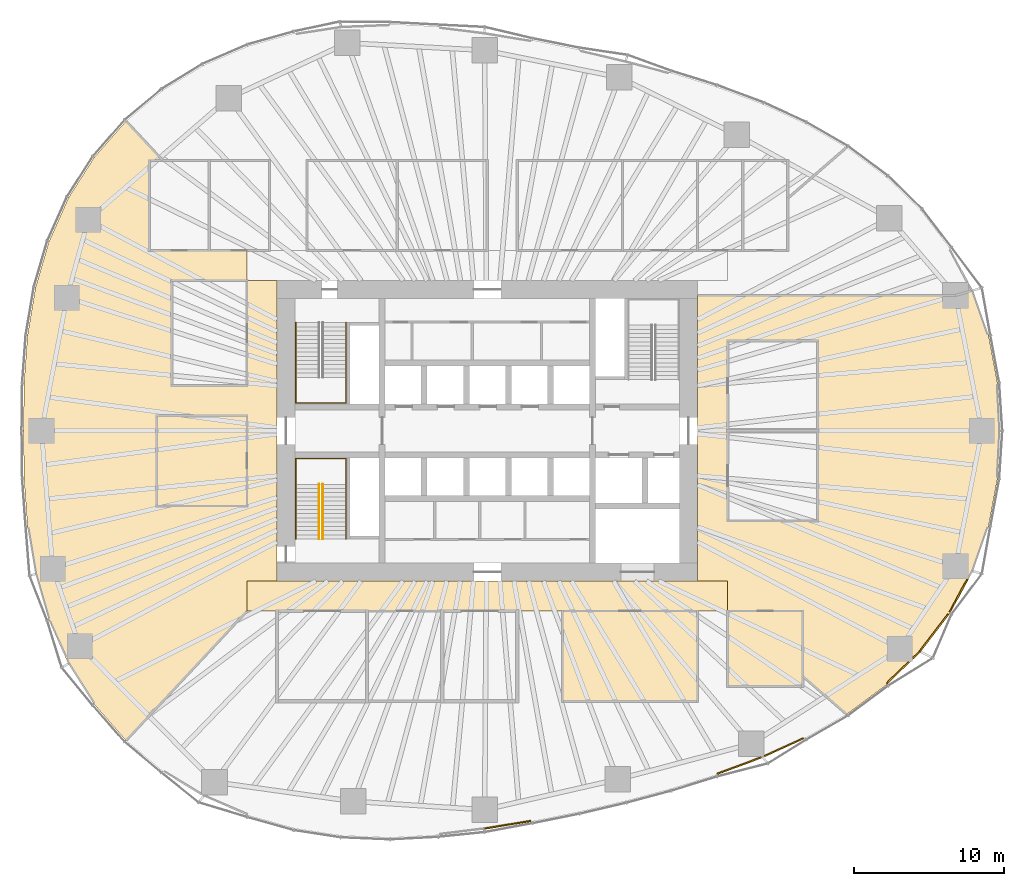
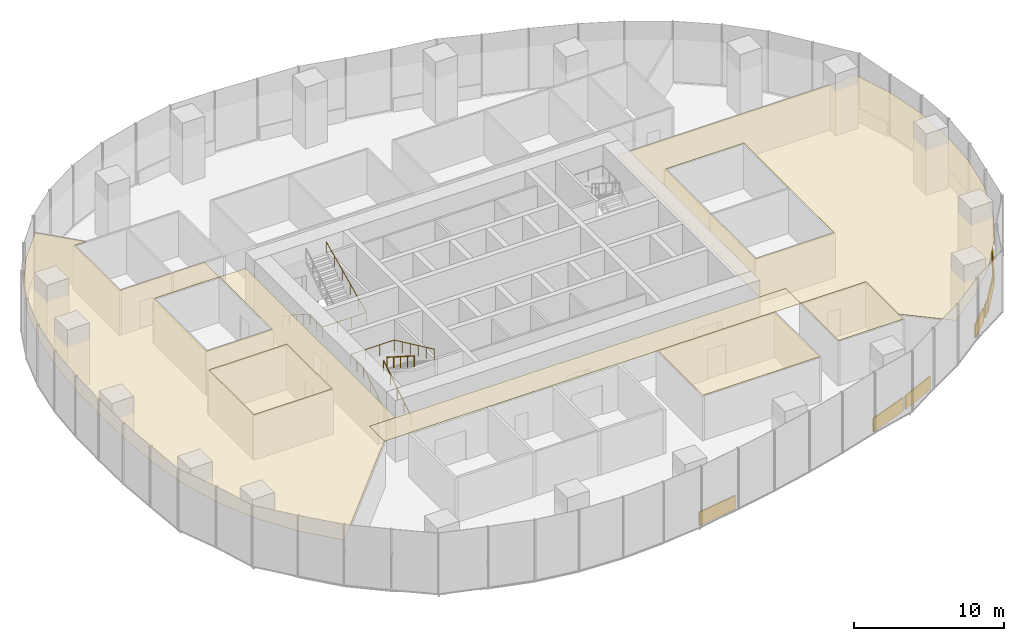
# One storey, part 18 of 19: 13 coverings, 4 railings.
"""IFC4 building model written with IfcOpenShell, lengths in metres."""

from ifc_helpers import new_model, si_unit, direction, frame, origin, origin_2d, place, context, subcontext, project, spatial, polyline, rectangle, circle, outline, extrude, material, layer, layer_set, type_object, element, save


model = new_model("IFC4")

# Units and contexts
model_context = context("Model", 3, precision=1e-05, world=origin(), true_north=direction((0.0, 1.0)))
body_context = subcontext(model_context, "Body", "Model", "MODEL_VIEW")
ifc_project = project(units=[si_unit("LENGTHUNIT", "METRE"), si_unit("AREAUNIT", "SQUARE_METRE"), si_unit("VOLUMEUNIT", "CUBIC_METRE"), si_unit("PLANEANGLEUNIT", "RADIAN"), si_unit("MASSUNIT", "GRAM", prefix="KILO")], contexts=[model_context])

# Site, building, storey
site_placement = place(None, origin())
site = spatial("IfcSite", under=ifc_project, at=site_placement, CompositionType="ELEMENT")
building_placement = place(site_placement, origin())
building = spatial("IfcBuilding", under=site, at=building_placement, Name="Ghaith Harvest Tower", CompositionType="ELEMENT")
storey_placement = place(building_placement, frame((0.0, 0.0, 75.0)))
storey = spatial("IfcBuildingStorey", under=building, at=storey_placement, Name="L15", CompositionType="ELEMENT", Elevation=75.0)

# Coverings
ifc_material_1 = material(Name="Mineral fibre ceiling tile", Category="gypsum")
ifc_layer_1 = layer(ifc_material_1, 0.02490234375)
ifc_layer_set_1 = layer_set([ifc_layer_1], Name="CEILING C2")
covering_type_1 = type_object("IfcCoveringType", Name="CEILING C2", PredefinedType="CEILING", material=ifc_layer_set_1)
covering_1_placement = place(storey_placement, frame((0.0, 0.0, 3.60009765625)))
element("IfcCovering", 1, at=covering_1_placement, inside=storey, type_object=covering_type_1, Name="Ceiling L15-06", PredefinedType="CEILING", context=body_context, shape_type="SweptSolid", body=[
    extrude(outline(polyline([(5.0, -18.0), (14.0, -18.0), (14.0, -12.0), (5.0, -12.0), (5.0, -18.0)])), origin(), (0.0, 0.0, 1.0), 0.02490234375),
])
covering_2_placement = place(storey_placement, frame((0.0, 0.0, 3.60009765625)))
element("IfcCovering", 2, at=covering_2_placement, inside=storey, type_object=covering_type_1, Name="Ceiling L15-07", PredefinedType="CEILING", context=body_context, shape_type="SweptSolid", body=[
    extrude(outline(polyline([(-22.0, -5.0), (-16.0, -5.0), (-16.0, 1.0), (-22.0, 1.0), (-22.0, -5.0)])), origin(), (0.0, 0.0, 1.0), 0.02490234375),
])
covering_3_placement = place(storey_placement, frame((0.0, 0.0, 3.60009765625)))
element("IfcCovering", 3, at=covering_3_placement, inside=storey, type_object=covering_type_1, Name="Ceiling L15-16", PredefinedType="CEILING", context=body_context, shape_type="SweptSolid", body=[
    extrude(outline(polyline([(16.0, -17.0), (21.0, -17.0), (21.0, -12.0), (16.0, -12.0), (16.0, -17.0)])), origin(), (0.0, 0.0, 1.0), 0.02490234375),
])
covering_4_placement = place(storey_placement, frame((0.0, 0.0, 3.60009765625)))
element("IfcCovering", 4, at=covering_4_placement, inside=storey, type_object=covering_type_1, Name="Ceiling L15-C2", PredefinedType="CEILING", context=body_context, shape_type="SweptSolid", body=[
    extrude(outline(polyline([(-16.0, -10.0), (16.0, -10.0), (16.0, -12.0), (-16.0, -12.0), (-16.0, -10.0)])), origin(), (0.0, 0.0, 1.0), 0.02490234375),
])
covering_5_placement = place(storey_placement, frame((0.0, 0.0, 3.60009765625)))
element("IfcCovering", 5, at=covering_5_placement, inside=storey, type_object=covering_type_1, Name="Ceiling L15-E2", PredefinedType="CEILING", context=body_context, shape_type="SweptSolid", body=[
    extrude(outline(polyline([(32.318359375, 9.3408203125), (33.37158203125, 6.333984375), (33.95849609375, 3.194091796875), (34.125, 0.0), (33.95849609375, -3.194091796875), (33.37158203125, -6.333984375), (32.318359375, -9.3408203125), (30.78515625, -12.1708984375), (28.840087890625, -14.708984375), (26.572509765625, -16.9111328125), (23.92431640625, -18.873046875), (21.0, -16.336669921875), (21.0, -12.0), (16.0, -12.0), (16.0, -10.0), (14.0, -10.0), (14.0, 9.008056640625), (31.166015625, 9.008056640625), (32.318359375, 9.3408203125)]), holes=[polyline([(16.0, -6.0), (22.0, -6.0), (22.0, 6.0), (16.0, 6.0), (16.0, -6.0)])]), origin(), (0.0, 0.0, 1.0), 0.02490234375),
])
covering_6_placement = place(storey_placement, frame((0.0, 0.0, 3.60009765625)))
element("IfcCovering", 6, at=covering_6_placement, inside=storey, type_object=covering_type_1, Name="Ceiling L15-W1", PredefinedType="CEILING", context=body_context, shape_type="SweptSolid", body=[
    extrude(outline(polyline([(-27.881591796875, -15.507080078125), (-29.182373046875, -12.587890625), (-30.073974609375, -9.531005859375), (-30.606689453125, -6.35107421875), (-30.837158203125, -3.165771484375), (-30.875, 0.0), (-30.837158203125, 3.165771484375), (-30.606689453125, 6.35107421875), (-30.073974609375, 9.531005859375), (-29.182373046875, 12.587890625), (-27.881591796875, 15.507080078125), (-26.16455078125, 18.20556640625), (-24.04833984375, 20.618408203125), (-21.60302734375, 18.0), (-22.5, 18.0), (-22.5, 12.0), (-16.0, 12.0), (-16.0, 10.010009765625), (-21.010009765625, 10.010009765625), (-21.010009765625, 2.989990234375), (-15.989990234375, 2.989990234375), (-15.989990234375, 10.0), (-14.0, 10.0), (-14.0, -10.0), (-16.0, -10.0), (-16.0, -12.0), (-24.04833984375, -20.618408203125), (-26.16455078125, -18.20556640625), (-27.881591796875, -15.507080078125)]), holes=[polyline([(-16.0, 1.0), (-22.0, 1.0), (-22.0, -5.0), (-16.0, -5.0), (-16.0, 1.0)])]), origin(), (0.0, 0.0, 1.0), 0.02490234375),
])

# Railings
ifc_material_2 = material(Name="Steel, black powder-coated", Category="steel")
railing_type = type_object("IfcRailingType", Name="HANDRAIL HR1", PredefinedType="HANDRAIL", material=ifc_material_2)
railing_1_placement = place(storey_placement, frame((-12.75, 7.199951171875, 0.178466796875)))
element("IfcRailing", 7, at=railing_1_placement, inside=storey, type_object=railing_type, Name="Handrail HR1 stair ST1 L15 wall side", PredefinedType="HANDRAIL", context=body_context, shape_type="SweptSolid", body=[
    extrude(circle(Radius=0.02392578125, at=origin_2d()), frame((0.0, 0.0, 0.8759765625), z_axis=(0.0, -0.843111507901, 0.53773877045), x_axis=(1.0, 0.0, 0.0)), (0.0, 0.0, 1.0), 4.317138671875),
    extrude(circle(Radius=0.02392578125, at=origin_2d()), frame((0.0, -3.639892578125, 3.197265625), z_axis=(0.0, -1.0, 0.0), x_axis=(1.0, 0.0, 0.0)), (0.0, 0.0, 1.0), 1.7099609375),
    extrude(circle(Radius=0.02392578125, at=origin_2d()), frame((0.0, -5.349853515625, 3.197265625), z_axis=(1.0, 0.0, 0.0), x_axis=(0.0, 1.0, 0.0)), (0.0, 0.0, 1.0), 3.35009765625),
    extrude(circle(Radius=0.02392578125, at=origin_2d()), frame((3.35009765625, -5.349853515625, 3.197265625), z_axis=(0.0, 0.905962265858, 0.423358444868), x_axis=(-1.0, 0.0, 0.0)), (0.0, 0.0, 1.0), 5.9052734375),
    extrude(circle(Radius=0.02099609375, at=origin_2d()), origin(), (0.0, 0.0, 1.0), 0.851806640625),
    extrude(circle(Radius=0.02099609375, at=origin_2d()), frame((0.0, -0.909912109375, 0.580322265625)), (0.0, 0.0, 1.0), 0.851806640625),
    extrude(circle(Radius=0.02099609375, at=origin_2d()), frame((0.0, -1.81982421875, 1.16064453125)), (0.0, 0.0, 1.0), 0.851806640625),
    extrude(circle(Radius=0.02099609375, at=origin_2d()), frame((0.0, -2.72998046875, 1.7412109375)), (0.0, 0.0, 1.0), 0.851806640625),
    extrude(circle(Radius=0.02099609375, at=origin_2d()), frame((0.0, -3.639892578125, 2.321533203125)), (0.0, 0.0, 1.0), 0.851806640625),
    extrude(circle(Radius=0.02099609375, at=origin_2d()), frame((0.0, -4.494873046875, 2.321533203125)), (0.0, 0.0, 1.0), 0.851806640625),
    extrude(circle(Radius=0.02099609375, at=origin_2d()), frame((0.0, -5.349853515625, 2.321533203125)), (0.0, 0.0, 1.0), 0.851806640625),
    extrude(circle(Radius=0.02099609375, at=origin_2d()), frame((1.11669921875, -5.349853515625, 2.321533203125)), (0.0, 0.0, 1.0), 0.851806640625),
    extrude(circle(Radius=0.02099609375, at=origin_2d()), frame((2.2333984375, -5.349853515625, 2.321533203125)), (0.0, 0.0, 1.0), 0.851806640625),
    extrude(circle(Radius=0.02099609375, at=origin_2d()), frame((3.35009765625, -5.349853515625, 2.321533203125)), (0.0, 0.0, 1.0), 0.851806640625),
    extrude(circle(Radius=0.02099609375, at=origin_2d()), frame((3.35009765625, -4.27978515625, 2.821533203125)), (0.0, 0.0, 1.0), 0.851806640625),
    extrude(circle(Radius=0.02099609375, at=origin_2d()), frame((3.35009765625, -3.2099609375, 3.321533203125)), (0.0, 0.0, 1.0), 0.851806640625),
    extrude(circle(Radius=0.02099609375, at=origin_2d()), frame((3.35009765625, -2.139892578125, 3.821533203125)), (0.0, 0.0, 1.0), 0.851806640625),
    extrude(circle(Radius=0.02099609375, at=origin_2d()), frame((3.35009765625, -1.070068359375, 4.321533203125)), (0.0, 0.0, 1.0), 0.851806640625),
    extrude(circle(Radius=0.02099609375, at=origin_2d()), frame((3.35009765625, 0.0, 4.821533203125)), (0.0, 0.0, 1.0), 0.851806640625),
])
railing_2_placement = place(storey_placement, frame((-11.199951171875, -7.199951171875, 0.178466796875)))
element("IfcRailing", 8, at=railing_2_placement, inside=storey, type_object=railing_type, Name="Handrail HR1 stair ST3 L15 flight 1 inner", PredefinedType="HANDRAIL", context=body_context, shape_type="SweptSolid", body=[
    extrude(circle(Radius=0.02392578125, at=origin_2d()), frame((0.0, 0.0, 0.8759765625), z_axis=(0.0, 0.843111507901, 0.53773877045), x_axis=(-1.0, 0.0, 0.0)), (0.0, 0.0, 1.0), 4.317138671875),
    extrude(circle(Radius=0.02099609375, at=origin_2d()), origin(), (0.0, 0.0, 1.0), 0.851806640625),
    extrude(circle(Radius=0.02099609375, at=origin_2d()), frame((0.0, 0.909912109375, 0.580322265625)), (0.0, 0.0, 1.0), 0.851806640625),
    extrude(circle(Radius=0.02099609375, at=origin_2d()), frame((0.0, 1.81982421875, 1.16064453125)), (0.0, 0.0, 1.0), 0.851806640625),
    extrude(circle(Radius=0.02099609375, at=origin_2d()), frame((0.0, 2.72998046875, 1.7412109375)), (0.0, 0.0, 1.0), 0.851806640625),
    extrude(circle(Radius=0.02099609375, at=origin_2d()), frame((0.0, 3.639892578125, 2.321533203125)), (0.0, 0.0, 1.0), 0.851806640625),
])
railing_3_placement = place(storey_placement, frame((-10.949951171875, -3.56005859375, 2.678466796875)))
element("IfcRailing", 9, at=railing_3_placement, inside=storey, type_object=railing_type, Name="Handrail HR1 stair ST3 L15 flight 2 inner", PredefinedType="HANDRAIL", context=body_context, shape_type="SweptSolid", body=[
    extrude(circle(Radius=0.02392578125, at=origin_2d()), frame((0.0, 0.0, 0.8759765625), z_axis=(0.0, -0.843111507901, 0.53773877045), x_axis=(1.0, 0.0, 0.0)), (0.0, 0.0, 1.0), 4.317138671875),
    extrude(circle(Radius=0.02099609375, at=origin_2d()), origin(), (0.0, 0.0, 1.0), 0.851806640625),
    extrude(circle(Radius=0.02099609375, at=origin_2d()), frame((0.0, -0.909912109375, 0.580322265625)), (0.0, 0.0, 1.0), 0.851806640625),
    extrude(circle(Radius=0.02099609375, at=origin_2d()), frame((0.0, -1.81982421875, 1.16064453125)), (0.0, 0.0, 1.0), 0.851806640625),
    extrude(circle(Radius=0.02099609375, at=origin_2d()), frame((0.0, -2.72998046875, 1.7412109375)), (0.0, 0.0, 1.0), 0.851806640625),
    extrude(circle(Radius=0.02099609375, at=origin_2d()), frame((0.0, -3.639892578125, 2.321533203125)), (0.0, 0.0, 1.0), 0.851806640625),
])
railing_4_placement = place(storey_placement, frame((-12.75, -7.199951171875, 0.178466796875)))
element("IfcRailing", 10, at=railing_4_placement, inside=storey, type_object=railing_type, Name="Handrail HR1 stair ST3 L15 wall side", PredefinedType="HANDRAIL", context=body_context, shape_type="SweptSolid", body=[
    extrude(circle(Radius=0.02392578125, at=origin_2d()), frame((0.0, 0.0, 0.8759765625), z_axis=(0.0, 0.843111507901, 0.53773877045), x_axis=(-1.0, 0.0, 0.0)), (0.0, 0.0, 1.0), 4.317138671875),
    extrude(circle(Radius=0.02392578125, at=origin_2d()), frame((0.0, 3.639892578125, 3.197265625), z_axis=(0.0, 1.0, 0.0), x_axis=(-1.0, 0.0, 0.0)), (0.0, 0.0, 1.0), 1.7099609375),
    extrude(circle(Radius=0.02392578125, at=origin_2d()), frame((0.0, 5.349853515625, 3.197265625), z_axis=(1.0, 0.0, 0.0), x_axis=(0.0, 1.0, 0.0)), (0.0, 0.0, 1.0), 3.35009765625),
    extrude(circle(Radius=0.02392578125, at=origin_2d()), frame((3.35009765625, 5.349853515625, 3.197265625), z_axis=(0.0, -0.905962265858, 0.423358444868), x_axis=(1.0, 0.0, 0.0)), (0.0, 0.0, 1.0), 5.9052734375),
    extrude(circle(Radius=0.02099609375, at=origin_2d()), origin(), (0.0, 0.0, 1.0), 0.851806640625),
    extrude(circle(Radius=0.02099609375, at=origin_2d()), frame((0.0, 0.909912109375, 0.580322265625)), (0.0, 0.0, 1.0), 0.851806640625),
    extrude(circle(Radius=0.02099609375, at=origin_2d()), frame((0.0, 1.81982421875, 1.16064453125)), (0.0, 0.0, 1.0), 0.851806640625),
    extrude(circle(Radius=0.02099609375, at=origin_2d()), frame((0.0, 2.72998046875, 1.7412109375)), (0.0, 0.0, 1.0), 0.851806640625),
    extrude(circle(Radius=0.02099609375, at=origin_2d()), frame((0.0, 3.639892578125, 2.321533203125)), (0.0, 0.0, 1.0), 0.851806640625),
    extrude(circle(Radius=0.02099609375, at=origin_2d()), frame((0.0, 4.494873046875, 2.321533203125)), (0.0, 0.0, 1.0), 0.851806640625),
    extrude(circle(Radius=0.02099609375, at=origin_2d()), frame((0.0, 5.349853515625, 2.321533203125)), (0.0, 0.0, 1.0), 0.851806640625),
    extrude(circle(Radius=0.02099609375, at=origin_2d()), frame((1.11669921875, 5.349853515625, 2.321533203125)), (0.0, 0.0, 1.0), 0.851806640625),
    extrude(circle(Radius=0.02099609375, at=origin_2d()), frame((2.2333984375, 5.349853515625, 2.321533203125)), (0.0, 0.0, 1.0), 0.851806640625),
    extrude(circle(Radius=0.02099609375, at=origin_2d()), frame((3.35009765625, 5.349853515625, 2.321533203125)), (0.0, 0.0, 1.0), 0.851806640625),
    extrude(circle(Radius=0.02099609375, at=origin_2d()), frame((3.35009765625, 4.27978515625, 2.821533203125)), (0.0, 0.0, 1.0), 0.851806640625),
    extrude(circle(Radius=0.02099609375, at=origin_2d()), frame((3.35009765625, 3.2099609375, 3.321533203125)), (0.0, 0.0, 1.0), 0.851806640625),
    extrude(circle(Radius=0.02099609375, at=origin_2d()), frame((3.35009765625, 2.139892578125, 3.821533203125)), (0.0, 0.0, 1.0), 0.851806640625),
    extrude(circle(Radius=0.02099609375, at=origin_2d()), frame((3.35009765625, 1.070068359375, 4.321533203125)), (0.0, 0.0, 1.0), 0.851806640625),
    extrude(circle(Radius=0.02099609375, at=origin_2d()), frame((3.35009765625, 0.0, 4.821533203125)), (0.0, 0.0, 1.0), 0.851806640625),
])

# Coverings
ifc_material_3 = material(Name="Insulated aluminium spandrel panel on steel framing", Category="steel")
ifc_layer_2 = layer(ifc_material_3, 0.10009765625)
ifc_layer_set_2 = layer_set([ifc_layer_2], Name="SLAB EDGE UPSTAND 1100x100")
covering_type_2 = type_object("IfcCoveringType", Name="SLAB EDGE UPSTAND 1100x100", PredefinedType="CLADDING", material=ifc_layer_set_2)
covering_7_placement = place(storey_placement, frame((1.349609375, -26.224365234375, 0.0), z_axis=(0.0, 0.0, 1.0), x_axis=(0.98671624755, 0.162453214254, 0.0)))
element("IfcCovering", 11, at=covering_7_placement, inside=storey, type_object=covering_type_2, Name="Slab edge upstand 1 bay 16 L15", PredefinedType="CLADDING", context=body_context, shape_type="SweptSolid", body=[
    extrude(rectangle(XDim=3.119873046875, YDim=0.10009765625, at=origin_2d()), origin(), (0.0, 0.0, 1.0), 1.10009765625),
])
covering_8_placement = place(storey_placement, frame((16.764404296875, -22.289306640625, 0.0), z_axis=(0.0, 0.0, 1.0), x_axis=(0.937331853701, 0.348437937139, 0.0)))
element("IfcCovering", 12, at=covering_8_placement, inside=storey, type_object=covering_type_2, Name="Slab edge upstand 3 bay 17 L15", PredefinedType="CLADDING", context=body_context, shape_type="SweptSolid", body=[
    extrude(rectangle(XDim=3.1298828125, YDim=0.10009765625, at=origin_2d()), origin(), (0.0, 0.0, 1.0), 1.10009765625),
])
covering_9_placement = place(storey_placement, frame((19.7451171875, -21.05810546875, 0.0), z_axis=(0.0, 0.0, 1.0), x_axis=(0.909046054499, 0.416695657284, 0.0)))
element("IfcCovering", 13, at=covering_9_placement, inside=storey, type_object=covering_type_2, Name="Slab edge upstand 1 bay 18 L15", PredefinedType="CLADDING", context=body_context, shape_type="SweptSolid", body=[
    extrude(rectangle(XDim=2.84326171875, YDim=0.10009765625, at=origin_2d()), origin(), (0.0, 0.0, 1.0), 1.10009765625),
])
covering_10_placement = place(storey_placement, frame((27.330810546875, -16.105224609375, 0.0), z_axis=(0.0, 0.0, 1.0), x_axis=(0.717386427289, 0.69667547247, 0.0)))
element("IfcCovering", 14, at=covering_10_placement, inside=storey, type_object=covering_type_2, Name="Slab edge upstand 1 bay 19 L15", PredefinedType="CLADDING", context=body_context, shape_type="SweptSolid", body=[
    extrude(rectangle(XDim=2.010498046875, YDim=0.10009765625, at=origin_2d()), origin(), (0.0, 0.0, 1.0), 1.10009765625),
])
covering_11_placement = place(storey_placement, frame((28.57470703125, -14.897216796875, 0.0), z_axis=(0.0, 0.0, 1.0), x_axis=(0.717386427289, 0.69667547247, 0.0)))
element("IfcCovering", 15, at=covering_11_placement, inside=storey, type_object=covering_type_2, Name="Slab edge upstand 1 bay 19 L15", PredefinedType="CLADDING", context=body_context, shape_type="SweptSolid", body=[
    extrude(rectangle(XDim=0.643310546875, YDim=0.10009765625, at=origin_2d()), origin(), (0.0, 0.0, 1.0), 1.10009765625),
])
covering_12_placement = place(storey_placement, frame((29.74267578125, -13.44921875, 0.0), z_axis=(0.0, 0.0, 1.0), x_axis=(0.608255123652, 0.7937415855, 0.0)))
element("IfcCovering", 16, at=covering_12_placement, inside=storey, type_object=covering_type_2, Name="Slab edge upstand 2 bay 19 L15", PredefinedType="CLADDING", context=body_context, shape_type="SweptSolid", body=[
    extrude(rectangle(XDim=3.09765625, YDim=0.10009765625, at=origin_2d()), origin(), (0.0, 0.0, 1.0), 1.10009765625),
])
covering_13_placement = place(storey_placement, frame((31.3759765625, -10.9755859375, 0.0), z_axis=(0.0, 0.0, 1.0), x_axis=(0.4763492928, 0.879256135178, 0.0)))
element("IfcCovering", 17, at=covering_13_placement, inside=storey, type_object=covering_type_2, Name="Slab edge upstand 3 bay 19 L15", PredefinedType="CLADDING", context=body_context, shape_type="SweptSolid", body=[
    extrude(rectangle(XDim=2.46484375, YDim=0.10009765625, at=origin_2d()), origin(), (0.0, 0.0, 1.0), 1.10009765625),
])

save(model, "model.ifc")
